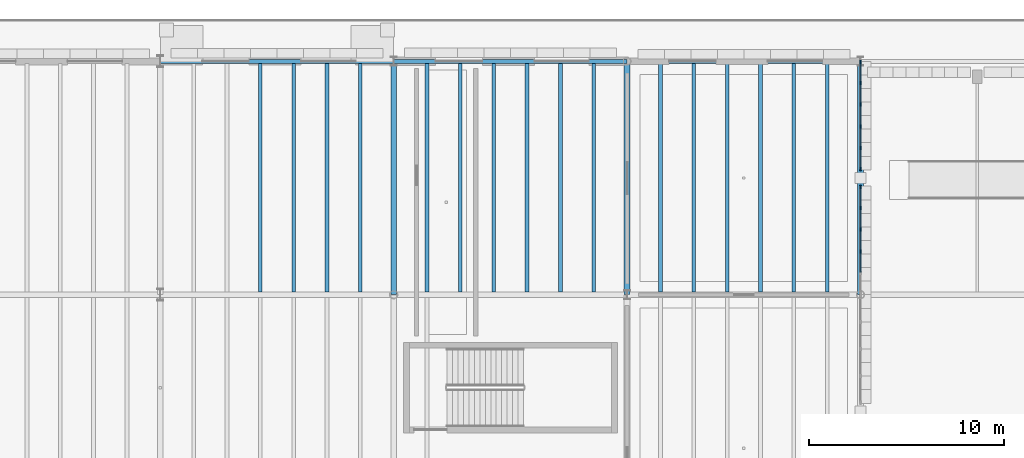
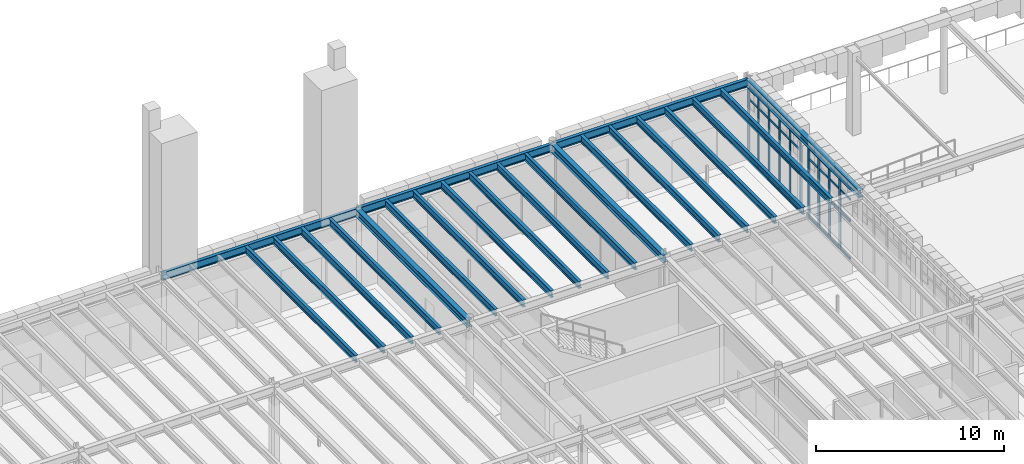
# One storey, part 25 of 103: 46 members, 22 beams, 2 elements without a shape of their own.
"""IFC4 building model written with IfcOpenShell, lengths in metres."""

import ifcopenshell
import ifcopenshell.guid

model = None  # the IFC model being written
_history = None  # IfcOwnerHistory: only IFC2X3 demands one
_inside = {}  # id of a spatial element -> (the spatial element, [elements in it])
_under = {}  # id of a project, library or spatial element -> (it, [spatial elements below it])
_declared = {}  # id of a project -> (the project, [libraries it declares])
_typed = {}  # id of a type object -> (the type object, [elements of that type])
_made_of = {}  # id of a material, layer set ... -> (it, [elements and type objects made of it])


def new_model(schema):
    """Start an empty IFC model of exactly this schema.

    Asked for "IFC4X3", IfcOpenShell would pick the latest addendum, in which some entities
    have other attributes; the version numbers below select the first issue.
    IFC2X3 requires an IfcOwnerHistory on every rooted entity: one is made here for all.
    """
    global model, _history
    if schema == "IFC4X3":
        model = ifcopenshell.file(schema_version=(4, 3, 0, 0))
    else:
        model = ifcopenshell.file(schema=schema)
    _inside.clear()
    _under.clear()
    _declared.clear()
    _typed.clear()
    _made_of.clear()
    _history = None
    if model.schema == "IFC2X3":
        org = make("IfcOrganization", Name="unknown")
        user = make(
            "IfcPersonAndOrganization",
            ThePerson=make("IfcPerson", FamilyName="unknown"),
            TheOrganization=org,
        )
        app = make(
            "IfcApplication",
            ApplicationDeveloper=org,
            Version="unknown",
            ApplicationFullName="unknown",
            ApplicationIdentifier="unknown",
        )
        _history = make(
            "IfcOwnerHistory",
            OwningUser=user,
            OwningApplication=app,
            ChangeAction="ADDED",
            CreationDate=0,
        )
    return model


def make(cls, **values):
    """One entity of the class cls with the attributes given. An attribute that is None is left unset."""
    return model.create_entity(
        cls, **{name: value for name, value in values.items() if value is not None}
    )


def rooted(cls, **values):
    """An entity with a GlobalId (a new one), such as an element, a storey or a relation."""
    return make(cls, GlobalId=ifcopenshell.guid.new(), OwnerHistory=_history, **values)


def si_unit(unit_type, name, prefix=None):
    """IfcSIUnit, for example si_unit("LENGTHUNIT", "METRE", prefix="MILLI")."""
    return make("IfcSIUnit", UnitType=unit_type, Prefix=prefix, Name=name)


def assignment(units):
    """IfcUnitAssignment: the units of a project."""
    return None if units is None else make("IfcUnitAssignment", Units=units)


def point(xyz):
    """IfcCartesianPoint."""
    return None if xyz is None else make("IfcCartesianPoint", Coordinates=xyz)


def direction(xyz):
    """IfcDirection."""
    return None if xyz is None else make("IfcDirection", DirectionRatios=xyz)


def frame(location, z_axis=None, x_axis=None):
    """IfcAxis2Placement3D, a coordinate frame: its origin and axes. An axis left out is left unset."""
    return make(
        "IfcAxis2Placement3D",
        Location=point(location),
        Axis=direction(z_axis),
        RefDirection=direction(x_axis),
    )


def frame_2d(location, x_axis=None):
    """IfcAxis2Placement2D, a coordinate frame in the plane: its origin and x axis."""
    return make(
        "IfcAxis2Placement2D", Location=point(location), RefDirection=direction(x_axis)
    )


def origin():
    """The frame at (0, 0, 0) with its axes left unset."""
    return frame((0.0, 0.0, 0.0))


def origin_2d():
    """The frame at (0, 0) in the plane with its x axis left unset."""
    return frame_2d((0.0, 0.0))


def place(relative_to, where):
    """IfcLocalPlacement: puts the frame where relative to a parent placement (None: the world)."""
    return make(
        "IfcLocalPlacement", PlacementRelTo=relative_to, RelativePlacement=where
    )


def context(
    kind, dimensions, precision=None, world=None, true_north=None, identifier=None
):
    """IfcGeometricRepresentationContext, for example the 3D "Model" context."""
    return make(
        "IfcGeometricRepresentationContext",
        ContextIdentifier=identifier,
        ContextType=kind,
        CoordinateSpaceDimension=dimensions,
        Precision=precision,
        WorldCoordinateSystem=world,
        TrueNorth=true_north,
    )


def subcontext(parent, identifier, kind, view, scale=None):
    """IfcGeometricRepresentationSubContext, for example "Body" below "Model"."""
    return make(
        "IfcGeometricRepresentationSubContext",
        ContextIdentifier=identifier,
        ContextType=kind,
        ParentContext=parent,
        TargetScale=scale,
        TargetView=view,
    )


def project(units=None, contexts=None):
    """IfcProject with its units and contexts."""
    return rooted(
        "IfcProject",
        Name="project",
        RepresentationContexts=contexts,
        UnitsInContext=assignment(units),
    )


def spatial(cls, under=None, at=None, **own):
    """A site, building, storey or space (cls), placed at a placement, below another one or the project."""
    s = rooted(cls, ObjectPlacement=at, **own)
    if under is not None:
        _under.setdefault(under.id(), (under, []))[1].append(s)
    return s


def profile(cls, at=None, kind="AREA", **sizes):
    """A parametric profile (cls). Its sizes go by their IFC names, for example OverallWidth=200.0."""
    return make(cls, ProfileType=kind, Position=at, **sizes)


def rectangle(**sizes):
    """IfcRectangleProfileDef."""
    return profile("IfcRectangleProfileDef", **sizes)


def i_section(**sizes):
    """IfcIShapeProfileDef."""
    return profile("IfcIShapeProfileDef", **sizes)


def extrude(swept, where, along, depth):
    """IfcExtrudedAreaSolid: the profile swept, set in the frame where, extruded along a direction by depth."""
    return make(
        "IfcExtrudedAreaSolid",
        SweptArea=swept,
        Position=where,
        ExtrudedDirection=direction(along),
        Depth=depth,
    )


def shape(context_of_items, identifier, shape_type, items):
    """IfcShapeRepresentation: the items that make up one representation, for example the "Body"."""
    return make(
        "IfcShapeRepresentation",
        ContextOfItems=context_of_items,
        RepresentationIdentifier=identifier,
        RepresentationType=shape_type,
        Items=items,
    )


def material(Name=None, Category=None):
    """IfcMaterial."""
    return make("IfcMaterial", Name=Name, Category=Category)


def layer(
    of_material, thickness, ventilated=None, Name=None, Category=None, Priority=None
):
    """IfcMaterialLayer: one layer of a wall or slab, of a material (None: an air gap)."""
    return make(
        "IfcMaterialLayer",
        Material=of_material,
        LayerThickness=thickness,
        IsVentilated=ventilated,
        Name=Name,
        Category=Category,
        Priority=Priority,
    )


def layer_set(layers, Name=None):
    """IfcMaterialLayerSet."""
    return make("IfcMaterialLayerSet", MaterialLayers=layers, LayerSetName=Name)


def material_profile(
    of_material, cross_section, Name=None, Category=None, Priority=None
):
    """IfcMaterialProfile: a cross section and its material."""
    return make(
        "IfcMaterialProfile",
        Name=Name,
        Material=of_material,
        Profile=cross_section,
        Priority=Priority,
        Category=Category,
    )


def profile_set(profiles, Name=None, composite=None):
    """IfcMaterialProfileSet."""
    return make(
        "IfcMaterialProfileSet",
        Name=Name,
        MaterialProfiles=profiles,
        CompositeProfile=composite,
    )


def made_of(thing, what):
    """Note that an element or type object is made of a material, layer set ...; save() writes the relation."""
    if what is not None:
        _made_of.setdefault(what.id(), (what, []))[1].append(thing)
    return thing


def type_object(cls, material=None, **own):
    """A type object (cls), such as IfcWallType, which elements share."""
    return made_of(rooted(cls, **own), material)


def element(
    cls,
    number,
    at=None,
    inside=None,
    cuts=None,
    type_object=None,
    material=None,
    context=None,
    identifier="Body",
    shape_type=None,
    held_by="IfcProductDefinitionShape",
    body=None,
    shapes=None,
    **own,
):
    """One element of the class cls, such as IfcWall. Its Tag is "e" and its number.

    at: its placement. inside: the storey or other place that contains it. cuts: it is an
    opening in that element (IfcRelVoidsElement). A single representation is given by context,
    identifier, shape_type and body (its items); several are given by shapes. held_by: the class
    of the entity that holds the representations. save() writes the other relations.
    """
    e = rooted(cls, Tag="e%d" % number, ObjectPlacement=at, **own)
    if body is not None:
        shapes = [shape(context, identifier, shape_type, body)]
    if shapes is not None:
        e.Representation = make(held_by, Representations=shapes)
    if inside is not None:
        _inside.setdefault(inside.id(), (inside, []))[1].append(e)
    if cuts is not None:
        rooted(
            "IfcRelVoidsElement", RelatingBuildingElement=cuts, RelatedOpeningElement=e
        )
    if type_object is not None:
        _typed.setdefault(type_object.id(), (type_object, []))[1].append(e)
    return made_of(e, material)


def aggregate(whole, parts):
    """IfcRelAggregates: a whole, such as a stair, and the parts it consists of."""
    return rooted("IfcRelAggregates", RelatingObject=whole, RelatedObjects=parts)


def save(model, path):
    """Write the relations noted so far, then the file.

    IfcRelAggregates (storeys below a building ...), IfcRelContainedInSpatialStructure (elements
    in a storey), IfcRelDefinesByType, IfcRelAssociatesMaterial and IfcRelDeclares: one each for
    every whole, place, type object, material and project.
    """
    for whole, parts in _under.values():
        aggregate(whole, parts)
    for where, things in _inside.values():
        rooted(
            "IfcRelContainedInSpatialStructure",
            RelatedElements=things,
            RelatingStructure=where,
        )
    for kind, things in _typed.values():
        rooted("IfcRelDefinesByType", RelatedObjects=things, RelatingType=kind)
    for what, things in _made_of.values():
        rooted("IfcRelAssociatesMaterial", RelatedObjects=things, RelatingMaterial=what)
    for by, libraries in _declared.values():
        rooted("IfcRelDeclares", RelatingContext=by, RelatedDefinitions=libraries)
    model.write(path)


model = new_model("IFC4")

# Units and contexts
model_context = context("Model", 3, precision=1e-05, world=origin(), true_north=direction((0.0, 1.0)))
body_context = subcontext(model_context, "Body", "Model", "MODEL_VIEW")
ifc_project = project(units=[si_unit("LENGTHUNIT", "METRE"), si_unit("AREAUNIT", "SQUARE_METRE"), si_unit("VOLUMEUNIT", "CUBIC_METRE"), si_unit("PLANEANGLEUNIT", "RADIAN"), si_unit("MASSUNIT", "GRAM", prefix="KILO")], contexts=[model_context])

# Site, building, storey
site_placement = place(None, origin())
site = spatial("IfcSite", under=ifc_project, at=site_placement, CompositionType="ELEMENT")
building_placement = place(site_placement, origin())
building = spatial("IfcBuilding", under=site, at=building_placement, Name="Zlatogorsky Bluff Art Gallery", CompositionType="ELEMENT")
storey_placement = place(building_placement, origin())
storey = spatial("IfcBuildingStorey", under=building, at=storey_placement, Name="L00", CompositionType="ELEMENT", Elevation=0.0)

# Beams
ifc_material_1 = material(Name="Steel S355", Category="steel")
ifc_material_profile_1 = material_profile(ifc_material_1, i_section(OverallWidth=0.300048828125, OverallDepth=0.489990234375, WebThickness=0.011962890625, FlangeThickness=0.02294921875, FilletRadius=0.027099609375, at=origin_2d()), Name="HEA 500")
ifc_profile_set_1 = profile_set([ifc_material_profile_1], Name="Steel S355")
beam_type_1 = type_object("IfcBeamType", Name="Beam BM-07 HEA 500", PredefinedType="BEAM", material=ifc_profile_set_1)
for number, where, z_axis, x_axis, name in (
    (1, (36.0, 108.014892578125, 4.89501953125), (0.0, 1.0, 0.0), (-1.0, 0.0, 0.0), "Primary girder BM-07 L00 D/11-12"),
    (2, (48.0, 108.014892578125, 4.89501953125), (0.0, 1.0, 0.0), (-1.0, 0.0, 0.0), "Primary girder BM-07 L00 E/11-12"),
    (3, (60.0, 108.014892578125, 4.89501953125), (0.0, 1.0, 0.0), (-1.0, 0.0, 0.0), "Primary girder BM-07 L00 F/11-12"),
):
    element("IfcBeam", number, at=place(storey_placement, frame(where, z_axis=z_axis, x_axis=x_axis)), inside=storey, type_object=beam_type_1, Name=name, PredefinedType="BEAM", context=body_context, shape_type="SweptSolid", body=[
        extrude(i_section(OverallWidth=0.300048828125, OverallDepth=0.489990234375, WebThickness=0.011962890625, FlangeThickness=0.02294921875, FilletRadius=0.027099609375, at=origin_2d()), origin(), (0.0, 0.0, 1.0), 11.97021484375),
    ])
ifc_material_profile_2 = material_profile(ifc_material_1, i_section(OverallWidth=0.18994140625, OverallDepth=0.449951171875, WebThickness=0.009521484375, FlangeThickness=0.0146484375, FilletRadius=0.02099609375, at=origin_2d()), Name="IPE 450")
ifc_profile_set_2 = profile_set([ifc_material_profile_2], Name="Steel S355")
beam_type_2 = type_object("IfcBeamType", Name="Beam JS-06 IPE 450", PredefinedType="JOIST", material=ifc_profile_set_2)
for number, where, z_axis, x_axis, name in (
    (4, (29.142822265625, 108.14990234375, 4.9150390625), (0.0, 1.0, 0.0), (-1.0, 0.0, 0.0), "Composite floor joist JS-06 L00 02.10.3"),
    (5, (30.857177734375, 108.14990234375, 4.9150390625), (0.0, 1.0, 0.0), (-1.0, 0.0, 0.0), "Composite floor joist JS-06 L00 02.10.4"),
    (6, (32.571533203125, 108.14990234375, 4.9150390625), (0.0, 1.0, 0.0), (-1.0, 0.0, 0.0), "Composite floor joist JS-06 L00 02.10.5"),
    (7, (34.28564453125, 108.14990234375, 4.9150390625), (0.0, 1.0, 0.0), (-1.0, 0.0, 0.0), "Composite floor joist JS-06 L00 02.10.6"),
    (8, (37.71435546875, 108.14990234375, 4.9150390625), (0.0, 1.0, 0.0), (-1.0, 0.0, 0.0), "Composite floor joist JS-06 L00 03.10.1"),
    (9, (39.428466796875, 108.14990234375, 4.9150390625), (0.0, 1.0, 0.0), (-1.0, 0.0, 0.0), "Composite floor joist JS-06 L00 03.10.2"),
    (10, (41.142822265625, 108.14990234375, 4.9150390625), (0.0, 1.0, 0.0), (-1.0, 0.0, 0.0), "Composite floor joist JS-06 L00 03.10.3"),
    (11, (42.857177734375, 108.14990234375, 4.9150390625), (0.0, 1.0, 0.0), (-1.0, 0.0, 0.0), "Composite floor joist JS-06 L00 03.10.4"),
    (12, (44.571533203125, 108.14990234375, 4.9150390625), (0.0, 1.0, 0.0), (-1.0, 0.0, 0.0), "Composite floor joist JS-06 L00 03.10.5"),
    (13, (46.28564453125, 108.14990234375, 4.9150390625), (0.0, 1.0, 0.0), (-1.0, 0.0, 0.0), "Composite floor joist JS-06 L00 03.10.6"),
    (14, (49.71435546875, 108.14990234375, 4.9150390625), (0.0, 1.0, 0.0), (-1.0, 0.0, 0.0), "Composite floor joist JS-06 L00 04.10.1"),
    (15, (51.428466796875, 108.14990234375, 4.9150390625), (0.0, 1.0, 0.0), (-1.0, 0.0, 0.0), "Composite floor joist JS-06 L00 04.10.2"),
    (16, (53.142822265625, 108.14990234375, 4.9150390625), (0.0, 1.0, 0.0), (-1.0, 0.0, 0.0), "Composite floor joist JS-06 L00 04.10.3"),
    (17, (54.857177734375, 108.14990234375, 4.9150390625), (0.0, 1.0, 0.0), (-1.0, 0.0, 0.0), "Composite floor joist JS-06 L00 04.10.4"),
    (18, (56.571533203125, 108.14990234375, 4.9150390625), (0.0, 1.0, 0.0), (-1.0, 0.0, 0.0), "Composite floor joist JS-06 L00 04.10.5"),
    (19, (58.28564453125, 108.14990234375, 4.9150390625), (0.0, 1.0, 0.0), (-1.0, 0.0, 0.0), "Composite floor joist JS-06 L00 04.10.6"),
):
    element("IfcBeam", number, at=place(storey_placement, frame(where, z_axis=z_axis, x_axis=x_axis)), inside=storey, type_object=beam_type_2, Name=name, PredefinedType="JOIST", context=body_context, shape_type="SweptSolid", body=[
        extrude(i_section(OverallWidth=0.18994140625, OverallDepth=0.449951171875, WebThickness=0.009521484375, FlangeThickness=0.0146484375, FilletRadius=0.02099609375, at=origin_2d()), origin(), (0.0, 0.0, 1.0), 11.75),
    ])
ifc_material_profile_3 = material_profile(ifc_material_1, i_section(OverallWidth=0.199951171875, OverallDepth=0.5, WebThickness=0.01025390625, FlangeThickness=0.01611328125, FilletRadius=0.02099609375, at=origin_2d()), Name="IPE 500")
ifc_profile_set_3 = profile_set([ifc_material_profile_3], Name="Steel S355")
beam_type_3 = type_object("IfcBeamType", Name="Beam SP-01 IPE 500", PredefinedType="SPANDREL", material=ifc_profile_set_3)
for number, where, z_axis, x_axis, name in (
    (20, (24.014892578125, 120.0, 4.889892578125), (1.0, 0.0, 0.0), (0.0, 1.0, 0.0), "Primary girder SP-01 L00 C-D/12"),
    (21, (36.014892578125, 120.0, 4.889892578125), (1.0, 0.0, 0.0), (0.0, 1.0, 0.0), "Primary girder SP-01 L00 D-E/12"),
    (22, (48.014892578125, 120.0, 4.889892578125), (1.0, 0.0, 0.0), (0.0, 1.0, 0.0), "Primary girder SP-01 L00 E-F/12"),
):
    element("IfcBeam", number, at=place(storey_placement, frame(where, z_axis=z_axis, x_axis=x_axis)), inside=storey, type_object=beam_type_3, Name=name, PredefinedType="SPANDREL", context=body_context, shape_type="SweptSolid", body=[
        extrude(i_section(OverallWidth=0.199951171875, OverallDepth=0.5, WebThickness=0.01025390625, FlangeThickness=0.01611328125, FilletRadius=0.02099609375, at=origin_2d()), origin(), (0.0, 0.0, 1.0), 11.97021484375),
    ])

# Curtain wall, members
ifc_material_2 = material(Name="Anodised Bronze Aluminium and Low-Iron Triple Glazing", Category="aluminium")
ifc_layer = layer(ifc_material_2, 0.179931640625)
ifc_layer_set = layer_set([ifc_layer], Name="Curtain Wall CW-03")
curtain_wall_type = type_object("IfcCurtainWallType", Name="Curtain Wall CW-03", PredefinedType="USERDEFINED", material=ifc_layer_set)
curtain_wall_1_placement = place(storey_placement, origin())
curtain_wall_1 = element("IfcCurtainWall", 23, at=curtain_wall_1_placement, inside=storey, type_object=curtain_wall_type, Name="Unitised curtain wall CW-03 L00 E 4.10-A", ObjectType="CURTAIN WALL", PredefinedType="USERDEFINED")
ifc_material_3 = material(Name="Anodised Bronze Aluminium", Category="aluminium")
ifc_material_profile_4 = material_profile(ifc_material_3, rectangle(XDim=0.06494140625, YDim=0.179931640625, at=origin_2d()), Name="ALU MULLION 65x180")
ifc_profile_set_4 = profile_set([ifc_material_profile_4], Name="Anodised Bronze Aluminium")
member_type_1 = type_object("IfcMemberType", Name="Curtain Mullion ML-01", PredefinedType="MULLION", material=ifc_profile_set_4)
member_1_placement = place(storey_placement, frame((60.0, 110.23193359375, 0.0), z_axis=(0.0, 0.0, 1.0), x_axis=(-1.0, 0.0, 0.0)))
member_1 = element("IfcMember", 24, at=member_1_placement, type_object=member_type_1, Name="CW-03 mullion 3", PredefinedType="MULLION", context=body_context, shape_type="SweptSolid", body=[
    extrude(rectangle(XDim=0.06494140625, YDim=0.179931640625, at=origin_2d()), origin(), (0.0, 0.0, 1.0), 4.56005859375),
])
member_2_placement = place(storey_placement, frame((60.0, 111.347900390625, 0.0), z_axis=(0.0, 0.0, 1.0), x_axis=(-1.0, 0.0, 0.0)))
member_2 = element("IfcMember", 25, at=member_2_placement, type_object=member_type_1, Name="CW-03 mullion 4", PredefinedType="MULLION", context=body_context, shape_type="SweptSolid", body=[
    extrude(rectangle(XDim=0.06494140625, YDim=0.179931640625, at=origin_2d()), origin(), (0.0, 0.0, 1.0), 4.56005859375),
])
member_3_placement = place(storey_placement, frame((60.0, 112.464111328125, 0.0), z_axis=(0.0, 0.0, 1.0), x_axis=(-1.0, 0.0, 0.0)))
member_3 = element("IfcMember", 26, at=member_3_placement, type_object=member_type_1, Name="CW-03 mullion 5", PredefinedType="MULLION", context=body_context, shape_type="SweptSolid", body=[
    extrude(rectangle(XDim=0.06494140625, YDim=0.179931640625, at=origin_2d()), origin(), (0.0, 0.0, 1.0), 4.56005859375),
])
member_4_placement = place(storey_placement, frame((60.0, 113.547607421875, 0.0), z_axis=(0.0, 0.0, 1.0), x_axis=(-1.0, 0.0, 0.0)))
member_4 = element("IfcMember", 27, at=member_4_placement, type_object=member_type_1, Name="CW-03 mullion 6", PredefinedType="MULLION", context=body_context, shape_type="SweptSolid", body=[
    extrude(rectangle(XDim=0.06494140625, YDim=0.179931640625, at=origin_2d()), origin(), (0.0, 0.0, 1.0), 4.56005859375),
])

curtain_wall_2_placement = place(storey_placement, origin())
curtain_wall_2 = element("IfcCurtainWall", 28, at=curtain_wall_2_placement, inside=storey, type_object=curtain_wall_type, Name="Unitised curtain wall CW-03 L00 E 4.10-B", ObjectType="CURTAIN WALL", PredefinedType="USERDEFINED")
member_5_placement = place(storey_placement, frame((60.0, 114.452392578125, 0.0), z_axis=(0.0, 0.0, 1.0), x_axis=(-1.0, 0.0, 0.0)))
member_5 = element("IfcMember", 29, at=member_5_placement, type_object=member_type_1, Name="CW-03 mullion 1", PredefinedType="MULLION", context=body_context, shape_type="SweptSolid", body=[
    extrude(rectangle(XDim=0.06494140625, YDim=0.179931640625, at=origin_2d()), origin(), (0.0, 0.0, 1.0), 4.56005859375),
])
member_6_placement = place(storey_placement, frame((60.0, 115.535888671875, 0.0), z_axis=(0.0, 0.0, 1.0), x_axis=(-1.0, 0.0, 0.0)))
member_6 = element("IfcMember", 30, at=member_6_placement, type_object=member_type_1, Name="CW-03 mullion 2", PredefinedType="MULLION", context=body_context, shape_type="SweptSolid", body=[
    extrude(rectangle(XDim=0.06494140625, YDim=0.179931640625, at=origin_2d()), origin(), (0.0, 0.0, 1.0), 4.56005859375),
])
member_7_placement = place(storey_placement, frame((60.0, 116.652099609375, 0.0), z_axis=(0.0, 0.0, 1.0), x_axis=(-1.0, 0.0, 0.0)))
member_7 = element("IfcMember", 31, at=member_7_placement, type_object=member_type_1, Name="CW-03 mullion 3", PredefinedType="MULLION", context=body_context, shape_type="SweptSolid", body=[
    extrude(rectangle(XDim=0.06494140625, YDim=0.179931640625, at=origin_2d()), origin(), (0.0, 0.0, 1.0), 4.56005859375),
])
member_8_placement = place(storey_placement, frame((60.0, 117.76806640625, 0.0), z_axis=(0.0, 0.0, 1.0), x_axis=(-1.0, 0.0, 0.0)))
member_8 = element("IfcMember", 32, at=member_8_placement, type_object=member_type_1, Name="CW-03 mullion 4", PredefinedType="MULLION", context=body_context, shape_type="SweptSolid", body=[
    extrude(rectangle(XDim=0.06494140625, YDim=0.179931640625, at=origin_2d()), origin(), (0.0, 0.0, 1.0), 4.56005859375),
])
member_9_placement = place(storey_placement, frame((60.0, 118.884033203125, 0.0), z_axis=(0.0, 0.0, 1.0), x_axis=(-1.0, 0.0, 0.0)))
member_9 = element("IfcMember", 33, at=member_9_placement, type_object=member_type_1, Name="CW-03 mullion 5", PredefinedType="MULLION", context=body_context, shape_type="SweptSolid", body=[
    extrude(rectangle(XDim=0.06494140625, YDim=0.179931640625, at=origin_2d()), origin(), (0.0, 0.0, 1.0), 4.56005859375),
])
member_10_placement = place(storey_placement, frame((60.0, 119.967529296875, 0.0), z_axis=(0.0, 0.0, 1.0), x_axis=(-1.0, 0.0, 0.0)))
member_10 = element("IfcMember", 34, at=member_10_placement, type_object=member_type_1, Name="CW-03 mullion 6", PredefinedType="MULLION", context=body_context, shape_type="SweptSolid", body=[
    extrude(rectangle(XDim=0.06494140625, YDim=0.179931640625, at=origin_2d()), origin(), (0.0, 0.0, 1.0), 4.56005859375),
])

# Member
ifc_material_profile_5 = material_profile(ifc_material_3, rectangle(XDim=0.06494140625, YDim=0.139892578125, at=origin_2d()), Name="ALU TRANSOM 65x140")
ifc_profile_set_5 = profile_set([ifc_material_profile_5], Name="Anodised Bronze Aluminium")
member_type_2 = type_object("IfcMemberType", Name="Curtain Transom TR-01", PredefinedType="USERDEFINED", material=ifc_profile_set_5)
member_11_placement = place(storey_placement, frame((60.0, 109.1484375, 0.032470703125), z_axis=(0.0, 1.0, 0.0), x_axis=(-1.0, 0.0, 0.0)))
member_11 = element("IfcMember", 35, at=member_11_placement, type_object=member_type_2, Name="CW-03 transom 2.1", ObjectType="TRANSOM", PredefinedType="USERDEFINED", context=body_context, shape_type="SweptSolid", body=[
    extrude(rectangle(XDim=0.06494140625, YDim=0.139892578125, at=origin_2d()), origin(), (0.0, 0.0, 1.0), 1.051025390625),
])

member_12_placement = place(storey_placement, frame((60.0, 109.1484375, 2.449951171875), z_axis=(0.0, 1.0, 0.0), x_axis=(-1.0, 0.0, 0.0)))
member_12 = element("IfcMember", 36, at=member_12_placement, type_object=member_type_2, Name="CW-03 transom 2.2", ObjectType="TRANSOM", PredefinedType="USERDEFINED", context=body_context, shape_type="SweptSolid", body=[
    extrude(rectangle(XDim=0.06494140625, YDim=0.139892578125, at=origin_2d()), origin(), (0.0, 0.0, 1.0), 1.051025390625),
])

member_13_placement = place(storey_placement, frame((60.0, 109.1484375, 3.85009765625), z_axis=(0.0, 1.0, 0.0), x_axis=(-1.0, 0.0, 0.0)))
member_13 = element("IfcMember", 37, at=member_13_placement, type_object=member_type_2, Name="CW-03 transom 2.3", ObjectType="TRANSOM", PredefinedType="USERDEFINED", context=body_context, shape_type="SweptSolid", body=[
    extrude(rectangle(XDim=0.06494140625, YDim=0.139892578125, at=origin_2d()), origin(), (0.0, 0.0, 1.0), 1.051025390625),
])

member_14_placement = place(storey_placement, frame((60.0, 109.1484375, 4.527587890625), z_axis=(0.0, 1.0, 0.0), x_axis=(-1.0, 0.0, 0.0)))
member_14 = element("IfcMember", 38, at=member_14_placement, type_object=member_type_2, Name="CW-03 transom 2.4", ObjectType="TRANSOM", PredefinedType="USERDEFINED", context=body_context, shape_type="SweptSolid", body=[
    extrude(rectangle(XDim=0.06494140625, YDim=0.139892578125, at=origin_2d()), origin(), (0.0, 0.0, 1.0), 1.051025390625),
])

member_15_placement = place(storey_placement, frame((60.0, 110.264404296875, 0.032470703125), z_axis=(0.0, 1.0, 0.0), x_axis=(-1.0, 0.0, 0.0)))
member_15 = element("IfcMember", 39, at=member_15_placement, type_object=member_type_2, Name="CW-03 transom 3.1", ObjectType="TRANSOM", PredefinedType="USERDEFINED", context=body_context, shape_type="SweptSolid", body=[
    extrude(rectangle(XDim=0.06494140625, YDim=0.139892578125, at=origin_2d()), origin(), (0.0, 0.0, 1.0), 1.051025390625),
])

member_16_placement = place(storey_placement, frame((60.0, 110.264404296875, 2.449951171875), z_axis=(0.0, 1.0, 0.0), x_axis=(-1.0, 0.0, 0.0)))
member_16 = element("IfcMember", 40, at=member_16_placement, type_object=member_type_2, Name="CW-03 transom 3.2", ObjectType="TRANSOM", PredefinedType="USERDEFINED", context=body_context, shape_type="SweptSolid", body=[
    extrude(rectangle(XDim=0.06494140625, YDim=0.139892578125, at=origin_2d()), origin(), (0.0, 0.0, 1.0), 1.051025390625),
])

member_17_placement = place(storey_placement, frame((60.0, 110.264404296875, 3.85009765625), z_axis=(0.0, 1.0, 0.0), x_axis=(-1.0, 0.0, 0.0)))
member_17 = element("IfcMember", 41, at=member_17_placement, type_object=member_type_2, Name="CW-03 transom 3.3", ObjectType="TRANSOM", PredefinedType="USERDEFINED", context=body_context, shape_type="SweptSolid", body=[
    extrude(rectangle(XDim=0.06494140625, YDim=0.139892578125, at=origin_2d()), origin(), (0.0, 0.0, 1.0), 1.051025390625),
])

member_18_placement = place(storey_placement, frame((60.0, 110.264404296875, 4.527587890625), z_axis=(0.0, 1.0, 0.0), x_axis=(-1.0, 0.0, 0.0)))
member_18 = element("IfcMember", 42, at=member_18_placement, type_object=member_type_2, Name="CW-03 transom 3.4", ObjectType="TRANSOM", PredefinedType="USERDEFINED", context=body_context, shape_type="SweptSolid", body=[
    extrude(rectangle(XDim=0.06494140625, YDim=0.139892578125, at=origin_2d()), origin(), (0.0, 0.0, 1.0), 1.051025390625),
])

member_19_placement = place(storey_placement, frame((60.0, 111.380615234375, 0.032470703125), z_axis=(0.0, 1.0, 0.0), x_axis=(-1.0, 0.0, 0.0)))
member_19 = element("IfcMember", 43, at=member_19_placement, type_object=member_type_2, Name="CW-03 transom 4.1", ObjectType="TRANSOM", PredefinedType="USERDEFINED", context=body_context, shape_type="SweptSolid", body=[
    extrude(rectangle(XDim=0.06494140625, YDim=0.139892578125, at=origin_2d()), origin(), (0.0, 0.0, 1.0), 1.05078125),
])

member_20_placement = place(storey_placement, frame((60.0, 111.380615234375, 2.449951171875), z_axis=(0.0, 1.0, 0.0), x_axis=(-1.0, 0.0, 0.0)))
member_20 = element("IfcMember", 44, at=member_20_placement, type_object=member_type_2, Name="CW-03 transom 4.2", ObjectType="TRANSOM", PredefinedType="USERDEFINED", context=body_context, shape_type="SweptSolid", body=[
    extrude(rectangle(XDim=0.06494140625, YDim=0.139892578125, at=origin_2d()), origin(), (0.0, 0.0, 1.0), 1.05078125),
])

member_21_placement = place(storey_placement, frame((60.0, 111.380615234375, 3.85009765625), z_axis=(0.0, 1.0, 0.0), x_axis=(-1.0, 0.0, 0.0)))
member_21 = element("IfcMember", 45, at=member_21_placement, type_object=member_type_2, Name="CW-03 transom 4.3", ObjectType="TRANSOM", PredefinedType="USERDEFINED", context=body_context, shape_type="SweptSolid", body=[
    extrude(rectangle(XDim=0.06494140625, YDim=0.139892578125, at=origin_2d()), origin(), (0.0, 0.0, 1.0), 1.05078125),
])

member_22_placement = place(storey_placement, frame((60.0, 111.380615234375, 4.527587890625), z_axis=(0.0, 1.0, 0.0), x_axis=(-1.0, 0.0, 0.0)))
member_22 = element("IfcMember", 46, at=member_22_placement, type_object=member_type_2, Name="CW-03 transom 4.4", ObjectType="TRANSOM", PredefinedType="USERDEFINED", context=body_context, shape_type="SweptSolid", body=[
    extrude(rectangle(XDim=0.06494140625, YDim=0.139892578125, at=origin_2d()), origin(), (0.0, 0.0, 1.0), 1.05078125),
])

member_23_placement = place(storey_placement, frame((60.0, 112.49658203125, 0.032470703125), z_axis=(0.0, 1.0, 0.0), x_axis=(-1.0, 0.0, 0.0)))
member_23 = element("IfcMember", 47, at=member_23_placement, type_object=member_type_2, Name="CW-03 transom 5.1", ObjectType="TRANSOM", PredefinedType="USERDEFINED", context=body_context, shape_type="SweptSolid", body=[
    extrude(rectangle(XDim=0.06494140625, YDim=0.139892578125, at=origin_2d()), origin(), (0.0, 0.0, 1.0), 1.018310546875),
])

member_24_placement = place(storey_placement, frame((60.0, 112.49658203125, 2.449951171875), z_axis=(0.0, 1.0, 0.0), x_axis=(-1.0, 0.0, 0.0)))
member_24 = element("IfcMember", 48, at=member_24_placement, type_object=member_type_2, Name="CW-03 transom 5.2", ObjectType="TRANSOM", PredefinedType="USERDEFINED", context=body_context, shape_type="SweptSolid", body=[
    extrude(rectangle(XDim=0.06494140625, YDim=0.139892578125, at=origin_2d()), origin(), (0.0, 0.0, 1.0), 1.018310546875),
])

member_25_placement = place(storey_placement, frame((60.0, 112.49658203125, 3.85009765625), z_axis=(0.0, 1.0, 0.0), x_axis=(-1.0, 0.0, 0.0)))
member_25 = element("IfcMember", 49, at=member_25_placement, type_object=member_type_2, Name="CW-03 transom 5.3", ObjectType="TRANSOM", PredefinedType="USERDEFINED", context=body_context, shape_type="SweptSolid", body=[
    extrude(rectangle(XDim=0.06494140625, YDim=0.139892578125, at=origin_2d()), origin(), (0.0, 0.0, 1.0), 1.018310546875),
])

member_26_placement = place(storey_placement, frame((60.0, 112.49658203125, 4.527587890625), z_axis=(0.0, 1.0, 0.0), x_axis=(-1.0, 0.0, 0.0)))
member_26 = element("IfcMember", 50, at=member_26_placement, type_object=member_type_2, Name="CW-03 transom 5.4", ObjectType="TRANSOM", PredefinedType="USERDEFINED", context=body_context, shape_type="SweptSolid", body=[
    extrude(rectangle(XDim=0.06494140625, YDim=0.139892578125, at=origin_2d()), origin(), (0.0, 0.0, 1.0), 1.018310546875),
])

aggregate(curtain_wall_1, [member_1, member_2, member_3, member_4, member_11, member_12, member_13, member_14, member_15, member_16, member_17, member_18, member_19, member_20, member_21, member_22, member_23, member_24, member_25, member_26])

member_27_placement = place(storey_placement, frame((60.0, 114.485107421875, 0.032470703125), z_axis=(0.0, 1.0, 0.0), x_axis=(-1.0, 0.0, 0.0)))
member_27 = element("IfcMember", 51, at=member_27_placement, type_object=member_type_2, Name="CW-03 transom 1.1", ObjectType="TRANSOM", PredefinedType="USERDEFINED", context=body_context, shape_type="SweptSolid", body=[
    extrude(rectangle(XDim=0.06494140625, YDim=0.139892578125, at=origin_2d()), origin(), (0.0, 0.0, 1.0), 1.018310546875),
])

member_28_placement = place(storey_placement, frame((60.0, 114.485107421875, 2.449951171875), z_axis=(0.0, 1.0, 0.0), x_axis=(-1.0, 0.0, 0.0)))
member_28 = element("IfcMember", 52, at=member_28_placement, type_object=member_type_2, Name="CW-03 transom 1.2", ObjectType="TRANSOM", PredefinedType="USERDEFINED", context=body_context, shape_type="SweptSolid", body=[
    extrude(rectangle(XDim=0.06494140625, YDim=0.139892578125, at=origin_2d()), origin(), (0.0, 0.0, 1.0), 1.018310546875),
])

member_29_placement = place(storey_placement, frame((60.0, 114.485107421875, 3.85009765625), z_axis=(0.0, 1.0, 0.0), x_axis=(-1.0, 0.0, 0.0)))
member_29 = element("IfcMember", 53, at=member_29_placement, type_object=member_type_2, Name="CW-03 transom 1.3", ObjectType="TRANSOM", PredefinedType="USERDEFINED", context=body_context, shape_type="SweptSolid", body=[
    extrude(rectangle(XDim=0.06494140625, YDim=0.139892578125, at=origin_2d()), origin(), (0.0, 0.0, 1.0), 1.018310546875),
])

member_30_placement = place(storey_placement, frame((60.0, 114.485107421875, 4.527587890625), z_axis=(0.0, 1.0, 0.0), x_axis=(-1.0, 0.0, 0.0)))
member_30 = element("IfcMember", 54, at=member_30_placement, type_object=member_type_2, Name="CW-03 transom 1.4", ObjectType="TRANSOM", PredefinedType="USERDEFINED", context=body_context, shape_type="SweptSolid", body=[
    extrude(rectangle(XDim=0.06494140625, YDim=0.139892578125, at=origin_2d()), origin(), (0.0, 0.0, 1.0), 1.018310546875),
])

member_31_placement = place(storey_placement, frame((60.0, 115.568603515625, 0.032470703125), z_axis=(0.0, 1.0, 0.0), x_axis=(-1.0, 0.0, 0.0)))
member_31 = element("IfcMember", 55, at=member_31_placement, type_object=member_type_2, Name="CW-03 transom 2.1", ObjectType="TRANSOM", PredefinedType="USERDEFINED", context=body_context, shape_type="SweptSolid", body=[
    extrude(rectangle(XDim=0.06494140625, YDim=0.139892578125, at=origin_2d()), origin(), (0.0, 0.0, 1.0), 1.05078125),
])

member_32_placement = place(storey_placement, frame((60.0, 115.568603515625, 2.449951171875), z_axis=(0.0, 1.0, 0.0), x_axis=(-1.0, 0.0, 0.0)))
member_32 = element("IfcMember", 56, at=member_32_placement, type_object=member_type_2, Name="CW-03 transom 2.2", ObjectType="TRANSOM", PredefinedType="USERDEFINED", context=body_context, shape_type="SweptSolid", body=[
    extrude(rectangle(XDim=0.06494140625, YDim=0.139892578125, at=origin_2d()), origin(), (0.0, 0.0, 1.0), 1.05078125),
])

member_33_placement = place(storey_placement, frame((60.0, 115.568603515625, 3.85009765625), z_axis=(0.0, 1.0, 0.0), x_axis=(-1.0, 0.0, 0.0)))
member_33 = element("IfcMember", 57, at=member_33_placement, type_object=member_type_2, Name="CW-03 transom 2.3", ObjectType="TRANSOM", PredefinedType="USERDEFINED", context=body_context, shape_type="SweptSolid", body=[
    extrude(rectangle(XDim=0.06494140625, YDim=0.139892578125, at=origin_2d()), origin(), (0.0, 0.0, 1.0), 1.05078125),
])

member_34_placement = place(storey_placement, frame((60.0, 115.568603515625, 4.527587890625), z_axis=(0.0, 1.0, 0.0), x_axis=(-1.0, 0.0, 0.0)))
member_34 = element("IfcMember", 58, at=member_34_placement, type_object=member_type_2, Name="CW-03 transom 2.4", ObjectType="TRANSOM", PredefinedType="USERDEFINED", context=body_context, shape_type="SweptSolid", body=[
    extrude(rectangle(XDim=0.06494140625, YDim=0.139892578125, at=origin_2d()), origin(), (0.0, 0.0, 1.0), 1.05078125),
])

member_35_placement = place(storey_placement, frame((60.0, 116.6845703125, 0.032470703125), z_axis=(0.0, 1.0, 0.0), x_axis=(-1.0, 0.0, 0.0)))
member_35 = element("IfcMember", 59, at=member_35_placement, type_object=member_type_2, Name="CW-03 transom 3.1", ObjectType="TRANSOM", PredefinedType="USERDEFINED", context=body_context, shape_type="SweptSolid", body=[
    extrude(rectangle(XDim=0.06494140625, YDim=0.139892578125, at=origin_2d()), origin(), (0.0, 0.0, 1.0), 1.051025390625),
])

member_36_placement = place(storey_placement, frame((60.0, 116.6845703125, 2.449951171875), z_axis=(0.0, 1.0, 0.0), x_axis=(-1.0, 0.0, 0.0)))
member_36 = element("IfcMember", 60, at=member_36_placement, type_object=member_type_2, Name="CW-03 transom 3.2", ObjectType="TRANSOM", PredefinedType="USERDEFINED", context=body_context, shape_type="SweptSolid", body=[
    extrude(rectangle(XDim=0.06494140625, YDim=0.139892578125, at=origin_2d()), origin(), (0.0, 0.0, 1.0), 1.051025390625),
])

member_37_placement = place(storey_placement, frame((60.0, 116.6845703125, 3.85009765625), z_axis=(0.0, 1.0, 0.0), x_axis=(-1.0, 0.0, 0.0)))
member_37 = element("IfcMember", 61, at=member_37_placement, type_object=member_type_2, Name="CW-03 transom 3.3", ObjectType="TRANSOM", PredefinedType="USERDEFINED", context=body_context, shape_type="SweptSolid", body=[
    extrude(rectangle(XDim=0.06494140625, YDim=0.139892578125, at=origin_2d()), origin(), (0.0, 0.0, 1.0), 1.051025390625),
])

member_38_placement = place(storey_placement, frame((60.0, 116.6845703125, 4.527587890625), z_axis=(0.0, 1.0, 0.0), x_axis=(-1.0, 0.0, 0.0)))
member_38 = element("IfcMember", 62, at=member_38_placement, type_object=member_type_2, Name="CW-03 transom 3.4", ObjectType="TRANSOM", PredefinedType="USERDEFINED", context=body_context, shape_type="SweptSolid", body=[
    extrude(rectangle(XDim=0.06494140625, YDim=0.139892578125, at=origin_2d()), origin(), (0.0, 0.0, 1.0), 1.051025390625),
])

member_39_placement = place(storey_placement, frame((60.0, 117.800537109375, 0.032470703125), z_axis=(0.0, 1.0, 0.0), x_axis=(-1.0, 0.0, 0.0)))
member_39 = element("IfcMember", 63, at=member_39_placement, type_object=member_type_2, Name="CW-03 transom 4.1", ObjectType="TRANSOM", PredefinedType="USERDEFINED", context=body_context, shape_type="SweptSolid", body=[
    extrude(rectangle(XDim=0.06494140625, YDim=0.139892578125, at=origin_2d()), origin(), (0.0, 0.0, 1.0), 1.051025390625),
])

member_40_placement = place(storey_placement, frame((60.0, 117.800537109375, 2.449951171875), z_axis=(0.0, 1.0, 0.0), x_axis=(-1.0, 0.0, 0.0)))
member_40 = element("IfcMember", 64, at=member_40_placement, type_object=member_type_2, Name="CW-03 transom 4.2", ObjectType="TRANSOM", PredefinedType="USERDEFINED", context=body_context, shape_type="SweptSolid", body=[
    extrude(rectangle(XDim=0.06494140625, YDim=0.139892578125, at=origin_2d()), origin(), (0.0, 0.0, 1.0), 1.051025390625),
])

member_41_placement = place(storey_placement, frame((60.0, 117.800537109375, 3.85009765625), z_axis=(0.0, 1.0, 0.0), x_axis=(-1.0, 0.0, 0.0)))
member_41 = element("IfcMember", 65, at=member_41_placement, type_object=member_type_2, Name="CW-03 transom 4.3", ObjectType="TRANSOM", PredefinedType="USERDEFINED", context=body_context, shape_type="SweptSolid", body=[
    extrude(rectangle(XDim=0.06494140625, YDim=0.139892578125, at=origin_2d()), origin(), (0.0, 0.0, 1.0), 1.051025390625),
])

member_42_placement = place(storey_placement, frame((60.0, 117.800537109375, 4.527587890625), z_axis=(0.0, 1.0, 0.0), x_axis=(-1.0, 0.0, 0.0)))
member_42 = element("IfcMember", 66, at=member_42_placement, type_object=member_type_2, Name="CW-03 transom 4.4", ObjectType="TRANSOM", PredefinedType="USERDEFINED", context=body_context, shape_type="SweptSolid", body=[
    extrude(rectangle(XDim=0.06494140625, YDim=0.139892578125, at=origin_2d()), origin(), (0.0, 0.0, 1.0), 1.051025390625),
])

member_43_placement = place(storey_placement, frame((60.0, 118.91650390625, 0.032470703125), z_axis=(0.0, 1.0, 0.0), x_axis=(-1.0, 0.0, 0.0)))
member_43 = element("IfcMember", 67, at=member_43_placement, type_object=member_type_2, Name="CW-03 transom 5.1", ObjectType="TRANSOM", PredefinedType="USERDEFINED", context=body_context, shape_type="SweptSolid", body=[
    extrude(rectangle(XDim=0.06494140625, YDim=0.139892578125, at=origin_2d()), origin(), (0.0, 0.0, 1.0), 1.0185546875),
])

member_44_placement = place(storey_placement, frame((60.0, 118.91650390625, 2.449951171875), z_axis=(0.0, 1.0, 0.0), x_axis=(-1.0, 0.0, 0.0)))
member_44 = element("IfcMember", 68, at=member_44_placement, type_object=member_type_2, Name="CW-03 transom 5.2", ObjectType="TRANSOM", PredefinedType="USERDEFINED", context=body_context, shape_type="SweptSolid", body=[
    extrude(rectangle(XDim=0.06494140625, YDim=0.139892578125, at=origin_2d()), origin(), (0.0, 0.0, 1.0), 1.0185546875),
])

member_45_placement = place(storey_placement, frame((60.0, 118.91650390625, 3.85009765625), z_axis=(0.0, 1.0, 0.0), x_axis=(-1.0, 0.0, 0.0)))
member_45 = element("IfcMember", 69, at=member_45_placement, type_object=member_type_2, Name="CW-03 transom 5.3", ObjectType="TRANSOM", PredefinedType="USERDEFINED", context=body_context, shape_type="SweptSolid", body=[
    extrude(rectangle(XDim=0.06494140625, YDim=0.139892578125, at=origin_2d()), origin(), (0.0, 0.0, 1.0), 1.0185546875),
])

member_46_placement = place(storey_placement, frame((60.0, 118.91650390625, 4.527587890625), z_axis=(0.0, 1.0, 0.0), x_axis=(-1.0, 0.0, 0.0)))
member_46 = element("IfcMember", 70, at=member_46_placement, type_object=member_type_2, Name="CW-03 transom 5.4", ObjectType="TRANSOM", PredefinedType="USERDEFINED", context=body_context, shape_type="SweptSolid", body=[
    extrude(rectangle(XDim=0.06494140625, YDim=0.139892578125, at=origin_2d()), origin(), (0.0, 0.0, 1.0), 1.0185546875),
])

aggregate(curtain_wall_2, [member_5, member_6, member_7, member_8, member_9, member_10, member_27, member_28, member_29, member_30, member_31, member_32, member_33, member_34, member_35, member_36, member_37, member_38, member_39, member_40, member_41, member_42, member_43, member_44, member_45, member_46])

save(model, "model.ifc")
